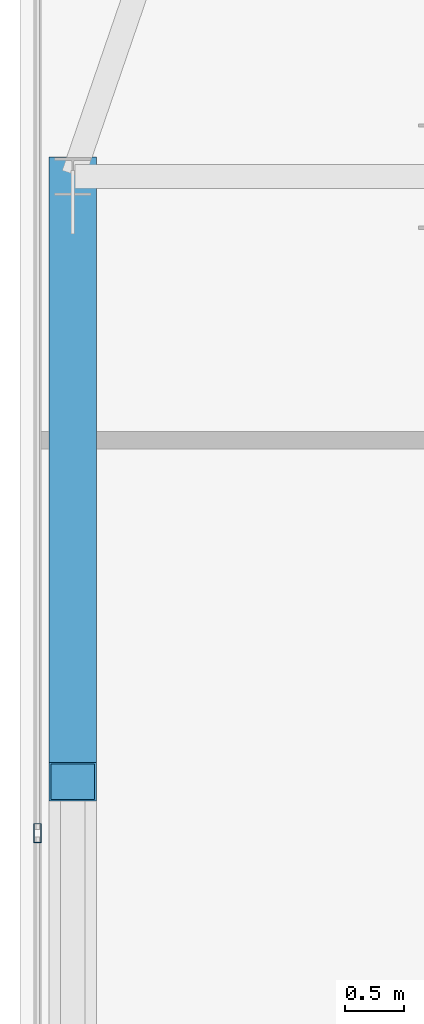
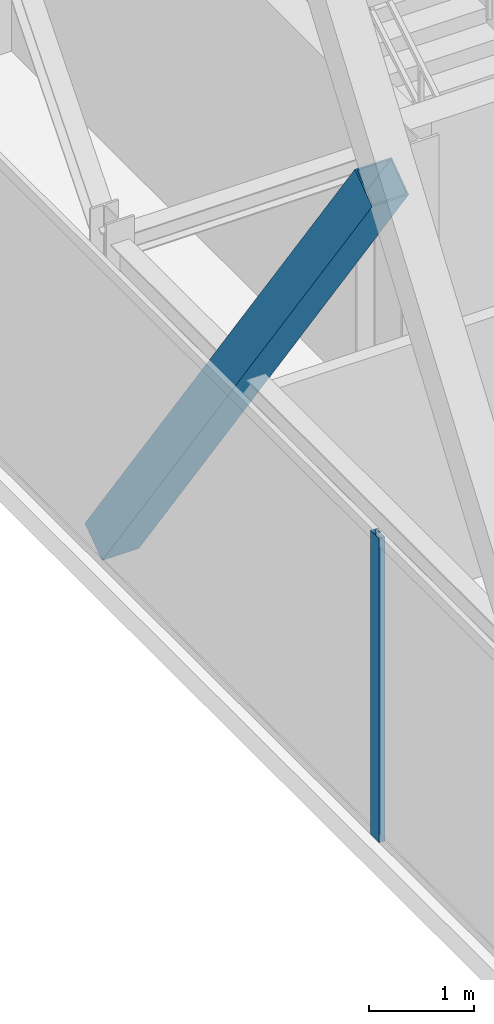
# One storey, part 9 of 25: 2 members, 1 element without a shape of its own.
"""IFC4 building model written with IfcOpenShell, lengths in metres."""

from ifc_helpers import new_model, si_unit, direction, frame, origin, origin_2d, place, context, subcontext, project, spatial, hollow_rectangle, extrude, source, transform, mapped, material, layer, layer_set, material_profile, profile_set, type_object, type_shapes, element, aggregate, save


model = new_model("IFC4")

# Units and contexts
model_context = context("Model", 3, precision=1e-05, world=origin(), true_north=direction((0.0, 1.0)))
body_context = subcontext(model_context, "Body", "Model", "MODEL_VIEW")
ifc_project = project(units=[si_unit("LENGTHUNIT", "METRE"), si_unit("AREAUNIT", "SQUARE_METRE"), si_unit("VOLUMEUNIT", "CUBIC_METRE"), si_unit("PLANEANGLEUNIT", "RADIAN"), si_unit("MASSUNIT", "GRAM", prefix="KILO")], contexts=[model_context])

# Site, building, storey
site_placement = place(None, origin())
site = spatial("IfcSite", under=ifc_project, at=site_placement, CompositionType="ELEMENT")
building_placement = place(site_placement, origin())
building = spatial("IfcBuilding", under=site, at=building_placement, Name="Varnel Quay Broadcast Tower", CompositionType="ELEMENT")
storey_placement = place(building_placement, frame((0.0, 0.0, 273.60009765625)))
storey = spatial("IfcBuildingStorey", under=building, at=storey_placement, Name="L68", CompositionType="ELEMENT", Elevation=273.60009765625)

# Member
ifc_material_1 = material(Name="Structural Steel CSA G40.21 350W", Category="steel")
ifc_material_profile_1 = material_profile(ifc_material_1, hollow_rectangle(XDim=0.406005859375, YDim=0.406005859375, WallThickness=0.01611328125, at=origin_2d()), Name="HSS406X406X16")
ifc_profile_set_1 = profile_set([ifc_material_profile_1], Name="Structural Steel CSA G40.21 350W")
member_type_1 = type_object("IfcMemberType", Name="Brace_HSS406X406X16", PredefinedType="BRACE", material=ifc_profile_set_1)
shared_shape_1 = source(origin(), body_context, "Body", "SweptSolid", [
    extrude(hollow_rectangle(XDim=0.406005859375, YDim=0.406005859375, WallThickness=0.01611328125, at=origin_2d()), origin(), (0.0, 0.0, 1.0), 8.906982421875),
])
type_shapes(member_type_1, [shared_shape_1])
member_1_placement = place(storey_placement, frame((12.449951171875, 35.60009765625, 0.02001953125), z_axis=(0.0, -0.579447729808, 0.815009403884), x_axis=(1.0, 0.0, 0.0)))
element("IfcMember", 1, at=member_1_placement, inside=storey, type_object=member_type_1, Name="Zone 5 Mega-Brace W-FT2 Split Diag B1", PredefinedType="BRACE", context=body_context, shape_type="MappedRepresentation", body=[
    mapped(shared_shape_1, transform((0.0, 0.0, 0.0), x_axis=(1.0, 0.0, 0.0), y_axis=(0.0, 1.0, 0.0), z_axis=(0.0, 0.0, 1.0), scale=1.0)),
])

# Curtain wall, member
ifc_material_2 = material(Name="Anodised Bronze Aluminium 6063-T6", Category="aluminium")
ifc_layer = layer(ifc_material_2, 0.18994140625, Name="Anodised Bronze Aluminium 6063-T6")
ifc_layer_set = layer_set([ifc_layer], Name="Anodised Bronze Aluminium 6063-T6")
curtain_wall_type = type_object("IfcCurtainWallType", Name="CW_UpperTower", PredefinedType="NOTDEFINED", material=ifc_layer_set)
curtain_wall_placement = place(storey_placement, origin())
curtain_wall = element("IfcCurtainWall", 2, at=curtain_wall_placement, inside=storey, type_object=curtain_wall_type, Name="L68 West Unitised Curtain Wall", PredefinedType="NOTDEFINED")
ifc_material_profile_2 = material_profile(ifc_material_2, hollow_rectangle(XDim=0.06494140625, YDim=0.1650390625, WallThickness=0.00341796875, at=origin_2d()), Name="ALU65X165X3.5")
ifc_profile_set_2 = profile_set([ifc_material_profile_2], Name="Anodised Bronze Aluminium 6063-T6")
member_type_2 = type_object("IfcMemberType", Name="Mull_CWS-03", PredefinedType="MULLION", material=ifc_profile_set_2)
shared_shape_2 = source(origin(), body_context, "Body", "SweptSolid", [
    extrude(hollow_rectangle(XDim=0.06494140625, YDim=0.1650390625, WallThickness=0.00341796875, at=origin_2d()), origin(), (0.0, 0.0, 1.0), 3.5498046875),
])
type_shapes(member_type_2, [shared_shape_2])
member_2_placement = place(storey_placement, frame((12.14990234375, 30.0, 0.0), z_axis=(0.0, 0.0, 1.0), x_axis=(-1.0, 0.0, 0.0)))
member_2 = element("IfcMember", 3, at=member_2_placement, type_object=member_type_2, Name="CWS-03 mullion 2", PredefinedType="MULLION", context=body_context, shape_type="MappedRepresentation", body=[
    mapped(shared_shape_2, transform((0.0, 0.0, 0.0), x_axis=(1.0, 0.0, 0.0), y_axis=(0.0, 1.0, 0.0), z_axis=(0.0, 0.0, 1.0), scale=1.0)),
])
aggregate(curtain_wall, [member_2])

save(model, "model.ifc")
